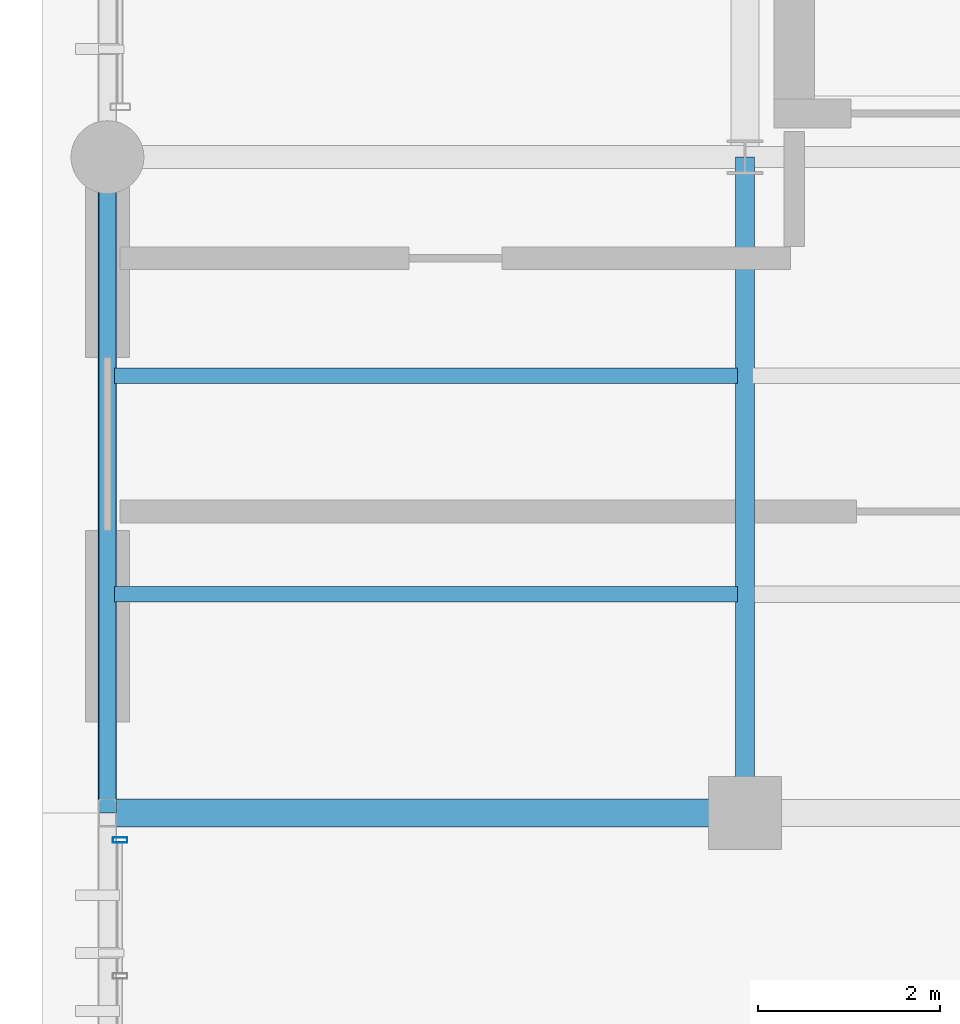
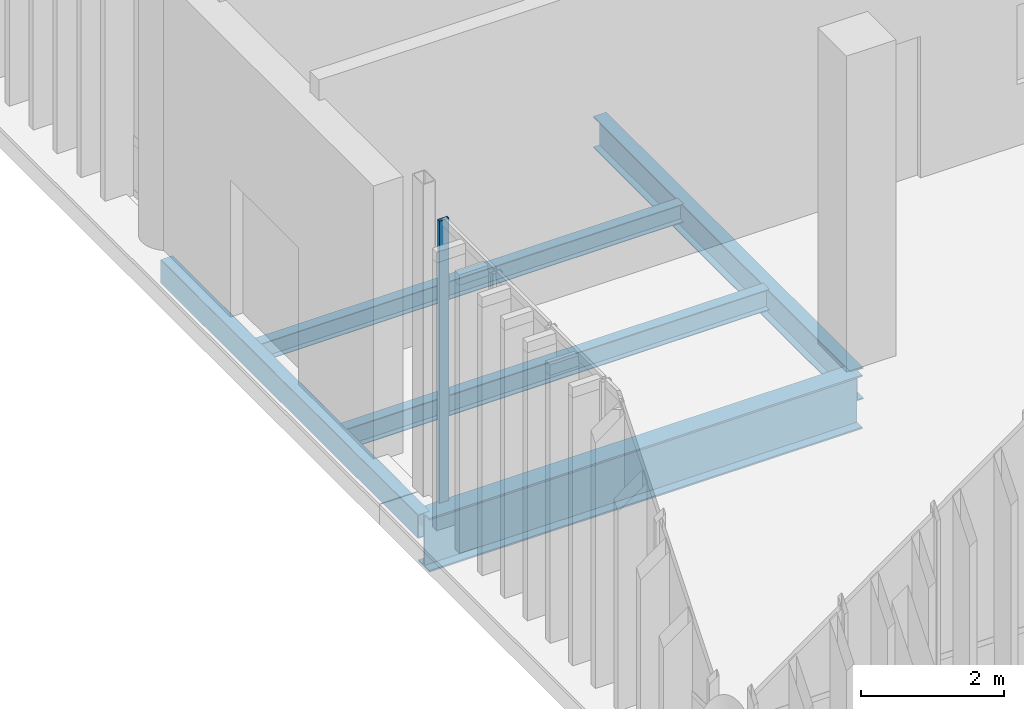
# One storey, part 24 of 112: 5 beams, 1 member, 1 element without a shape of its own.
"""IFC4 building model written with IfcOpenShell, lengths in metres."""

from ifc_helpers import new_model, si_unit, direction, frame, origin_with_axes, origin_2d_with_axis, place, context, subcontext, project, spatial, hollow_rectangle, i_section, extrude, material, material_profile, profile_set, type_object, element, aggregate, save


model = new_model("IFC4")

# Units and contexts
model_context = context("Model", 3, precision=1e-05, world=origin_with_axes(), true_north=direction((0.0, 1.0)))
body_context = subcontext(model_context, "Body", "Model", "MODEL_VIEW")
ifc_project = project(units=[si_unit("LENGTHUNIT", "METRE"), si_unit("AREAUNIT", "SQUARE_METRE"), si_unit("VOLUMEUNIT", "CUBIC_METRE"), si_unit("PLANEANGLEUNIT", "RADIAN"), si_unit("MASSUNIT", "GRAM", prefix="KILO"), si_unit("THERMODYNAMICTEMPERATUREUNIT", "KELVIN")], contexts=[model_context])

# Site, building, storey
site_placement = place(None, origin_with_axes())
site = spatial("IfcSite", under=ifc_project, at=site_placement, CompositionType="ELEMENT")
building_placement = place(site_placement, origin_with_axes())
building = spatial("IfcBuilding", under=site, at=building_placement, Name="Montbau Bow Law Courts", CompositionType="ELEMENT")
storey_placement = place(building_placement, origin_with_axes())
storey = spatial("IfcBuildingStorey", under=building, at=storey_placement, Name="L00", CompositionType="ELEMENT", Elevation=0.0)

# Beams
ifc_material_1 = material(Name="Steel CSA G40.21 Grade 350W (350 MPa)", Category="steel")
ifc_material_profile_1 = material_profile(ifc_material_1, i_section(OverallWidth=0.306, OverallDepth=0.919, WebThickness=0.0173, FlangeThickness=0.0279, at=origin_2d_with_axis()), Name="W920X253", Category="Main", Priority=0)
ifc_profile_set_1 = profile_set([ifc_material_profile_1], Name="Steel CSA G40.21 Grade 350W (350 MPa)")
beam_type_1 = type_object("IfcBeamType", Name="B-FLR-01", PredefinedType="BEAM", material=ifc_profile_set_1)
beam_1_placement = place(None, frame((6.8, 39.0, -0.8), z_axis=(1.0, 0.0, 0.0), x_axis=(0.0, 1.0, 0.0)))
element("IfcBeam", 1, at=beam_1_placement, inside=storey, type_object=beam_type_1, Name="BM-L00-S0183:bm2_0186", PredefinedType="BEAM", context=body_context, shape_type="SweptSolid", body=[
    extrude(i_section(OverallWidth=0.306, OverallDepth=0.919, WebThickness=0.0173, FlangeThickness=0.0279, at=origin_2d_with_axis()), origin_with_axes(), (0.0, 0.0, 1.0), 7.0),
])
ifc_material_profile_2 = material_profile(ifc_material_1, i_section(OverallWidth=0.21, OverallDepth=0.537, WebThickness=0.0109, FlangeThickness=0.0174, at=origin_2d_with_axis()), Name="W530X101", Category="Main", Priority=0)
ifc_profile_set_2 = profile_set([ifc_material_profile_2], Name="Steel CSA G40.21 Grade 350W (350 MPa)")
beam_type_2 = type_object("IfcBeamType", Name="B-FLR-06", PredefinedType="BEAM", material=ifc_profile_set_2)
beam_2_placement = place(None, frame((13.8, 39.0, -0.609), z_axis=(0.0, 1.0, 0.0), x_axis=(-1.0, 0.0, 0.0)))
element("IfcBeam", 2, at=beam_2_placement, inside=storey, type_object=beam_type_2, Name="BM-L00-S0245:bm2_0248", PredefinedType="BEAM", context=body_context, shape_type="SweptSolid", body=[
    extrude(i_section(OverallWidth=0.21, OverallDepth=0.537, WebThickness=0.0109, FlangeThickness=0.0174, at=origin_2d_with_axis()), origin_with_axes(), (0.0, 0.0, 1.0), 7.2),
])
ifc_material_profile_3 = material_profile(ifc_material_1, i_section(OverallWidth=0.172, OverallDepth=0.358, WebThickness=0.0079, FlangeThickness=0.0131, at=origin_2d_with_axis()), Name="W360X57", Category="Main", Priority=0)
ifc_profile_set_3 = profile_set([ifc_material_profile_3], Name="Steel CSA G40.21 Grade 350W (350 MPa)")
beam_type_3 = type_object("IfcBeamType", Name="B-JST-03", PredefinedType="JOIST", material=ifc_profile_set_3)
beam_3_placement = place(None, frame((6.88, 41.4, -0.519), z_axis=(1.0, 0.0, 0.0), x_axis=(0.0, 1.0, 0.0)))
element("IfcBeam", 3, at=beam_3_placement, inside=storey, type_object=beam_type_3, Name="JST-L00-S0006:jst2_0006", PredefinedType="JOIST", context=body_context, shape_type="SweptSolid", body=[
    extrude(i_section(OverallWidth=0.172, OverallDepth=0.358, WebThickness=0.0079, FlangeThickness=0.0131, at=origin_2d_with_axis()), origin_with_axes(), (0.0, 0.0, 1.0), 6.839),
])
ifc_material_profile_4 = material_profile(ifc_material_1, i_section(OverallWidth=0.166, OverallDepth=0.313, WebThickness=0.0066, FlangeThickness=0.0112, at=origin_2d_with_axis()), Name="W310X45", Category="Main", Priority=0)
ifc_profile_set_4 = profile_set([ifc_material_profile_4], Name="Steel CSA G40.21 Grade 350W (350 MPa)")
beam_type_4 = type_object("IfcBeamType", Name="B-JST-04", PredefinedType="JOIST", material=ifc_profile_set_4)
beam_4_placement = place(None, frame((6.88, 43.8, -0.497), z_axis=(1.0, 0.0, 0.0), x_axis=(0.0, 1.0, 0.0)))
element("IfcBeam", 4, at=beam_4_placement, inside=storey, type_object=beam_type_4, Name="JST-L00-S0007:jst2_0007", PredefinedType="JOIST", context=body_context, shape_type="SweptSolid", body=[
    extrude(i_section(OverallWidth=0.166, OverallDepth=0.313, WebThickness=0.0066, FlangeThickness=0.0112, at=origin_2d_with_axis()), origin_with_axes(), (0.0, 0.0, 1.0), 6.839),
])
ifc_material_2 = material(Name="Steel CSA G40.21 Grade 350WT (350 MPa)", Category="steel")
ifc_material_profile_5 = material_profile(ifc_material_2, hollow_rectangle(XDim=0.203, YDim=0.406, WallThickness=0.0127, InnerFilletRadius=0.0254, OuterFilletRadius=0.0127, at=origin_2d_with_axis()), Name="HSS406X203X13", Category="Main", Priority=0)
ifc_profile_set_5 = profile_set([ifc_material_profile_5], Name="Steel CSA G40.21 Grade 350WT (350 MPa)")
beam_type_5 = type_object("IfcBeamType", Name="B-SPN-01", PredefinedType="SPANDREL", material=ifc_profile_set_5)
beam_5_placement = place(None, frame((6.8, 39.0, -0.543), z_axis=(0.0, 1.0, 0.0), x_axis=(-1.0, 0.0, 0.0)))
element("IfcBeam", 5, at=beam_5_placement, inside=storey, type_object=beam_type_5, Name="SPN-L00-S0240:bm2_0243", PredefinedType="SPANDREL", context=body_context, shape_type="SweptSolid", body=[
    extrude(hollow_rectangle(XDim=0.203, YDim=0.406, WallThickness=0.0127, InnerFilletRadius=0.0254, OuterFilletRadius=0.0127, at=origin_2d_with_axis()), origin_with_axes(), (0.0, 0.0, 1.0), 7.2),
])

# Curtain wall, member
ifc_material_3 = material(Name="Thermally Broken Extruded Aluminium AA 6063-T6", Category="aluminium")
curtain_wall_type = type_object("IfcCurtainWallType", Name="CW-TRC-01", PredefinedType="NOTDEFINED", material=ifc_material_3)
curtain_wall_placement = place(None, frame((6.94, 31.115, 0.0), z_axis=(0.0, 0.0, 1.0), x_axis=(1.0, 0.0, 0.0)))
curtain_wall = element("IfcCurtainWall", 6, at=curtain_wall_placement, inside=storey, type_object=curtain_wall_type, Name="CW-L00-011:cw_0011", PredefinedType="NOTDEFINED")
ifc_material_profile_6 = material_profile(ifc_material_3, hollow_rectangle(XDim=0.06, YDim=0.16, WallThickness=0.004, InnerFilletRadius=0.008, OuterFilletRadius=0.004, at=origin_2d_with_axis()), Name="CWM-160X60", Category="Main", Priority=0)
ifc_profile_set_6 = profile_set([ifc_material_profile_6], Name="Thermally Broken Extruded Aluminium AA 6063-T6")
member_type = type_object("IfcMemberType", Name="M-MUL-03", PredefinedType="MULLION", material=ifc_profile_set_6)
member_placement = place(None, frame((6.94, 38.702, 0.0), z_axis=(0.0, 0.0, 1.0), x_axis=(0.0, 1.0, 0.0)))
member = element("IfcMember", 7, at=member_placement, type_object=member_type, Name="CW-L00-011-M06:cw_0011_M06", PredefinedType="MULLION", context=body_context, shape_type="SweptSolid", body=[
    extrude(hollow_rectangle(XDim=0.06, YDim=0.16, WallThickness=0.004, InnerFilletRadius=0.008, OuterFilletRadius=0.004, at=origin_2d_with_axis()), origin_with_axes(), (0.0, 0.0, 1.0), 4.82),
])
aggregate(curtain_wall, [member])

save(model, "model.ifc")
